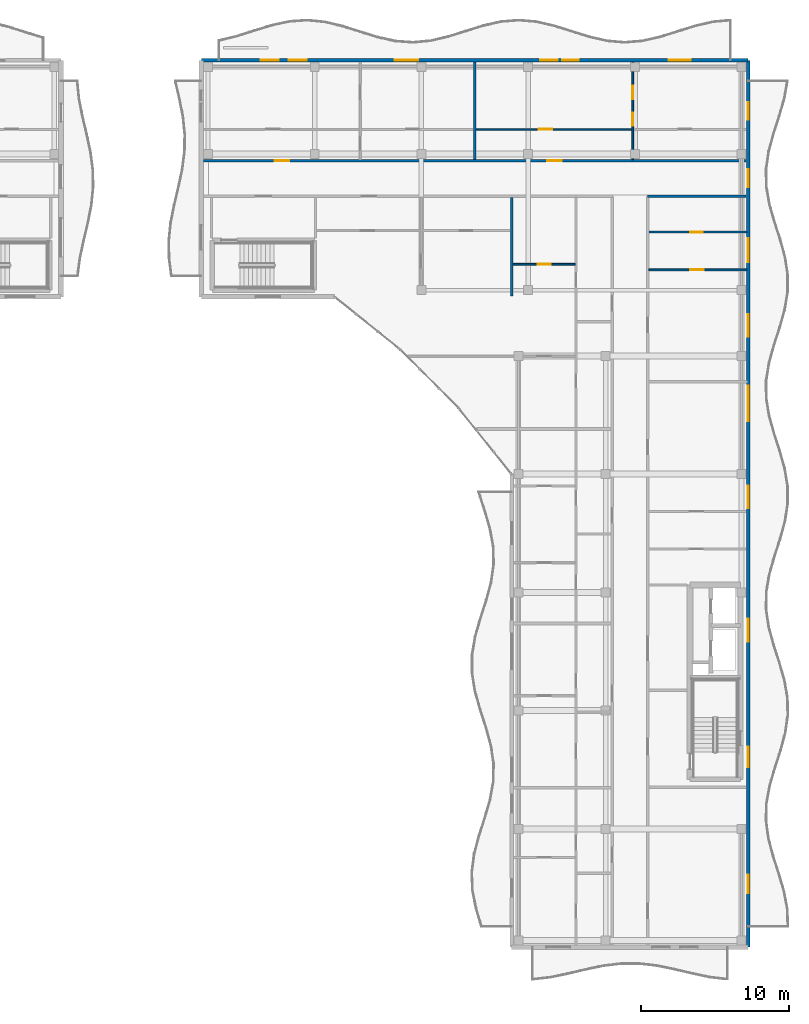
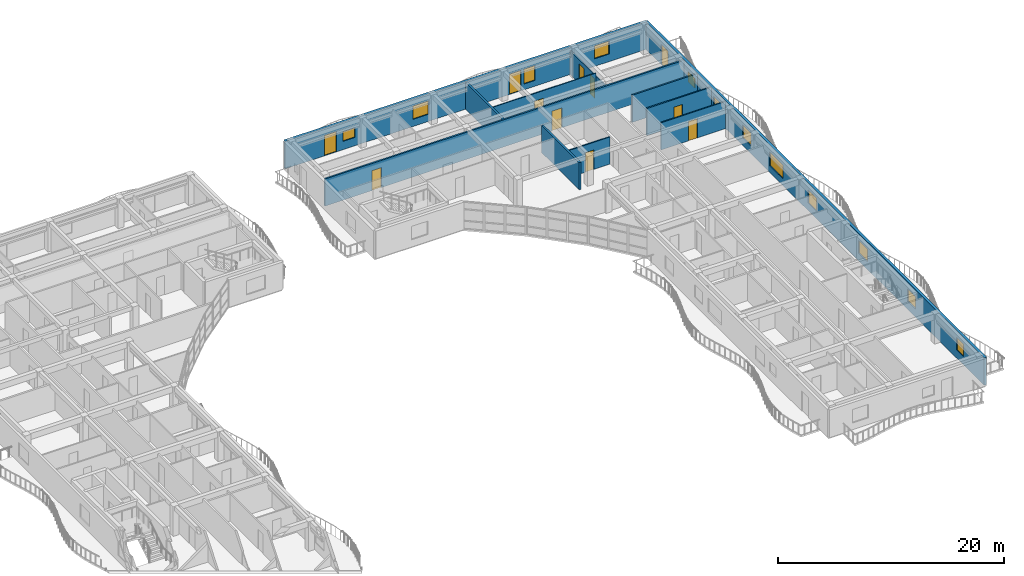
# One storey, part 45 of 72: 12 windows, 11 doors, 11 walls, 23 openings.
"""IFC4 building model written with IfcOpenShell, lengths in metres."""

from ifc_helpers import new_model, si_unit, direction, frame, frame_2d, origin, place, context, subcontext, project, spatial, rectangle, extrude, material, layer, layer_set, type_object, element, fill, save


model = new_model("IFC4")

# Units and contexts
model_context = context("Model", 3, precision=1e-05, world=origin(), true_north=direction((0.0, 1.0)))
body_context = subcontext(model_context, "Body", "Model", "MODEL_VIEW")
ifc_project = project(units=[si_unit("LENGTHUNIT", "METRE"), si_unit("AREAUNIT", "SQUARE_METRE"), si_unit("VOLUMEUNIT", "CUBIC_METRE"), si_unit("PLANEANGLEUNIT", "RADIAN"), si_unit("MASSUNIT", "GRAM", prefix="KILO")], contexts=[model_context])

# Site, building, storey
site_placement = place(None, origin())
site = spatial("IfcSite", under=ifc_project, at=site_placement, CompositionType="ELEMENT")
building_placement = place(site_placement, origin())
building = spatial("IfcBuilding", under=site, at=building_placement, Name="Keldmere Railside Commons", CompositionType="ELEMENT")
storey_placement = place(building_placement, frame((0.0, 0.0, 16.9599609375)))
storey = spatial("IfcBuildingStorey", under=building, at=storey_placement, Name="L05", CompositionType="ELEMENT", Elevation=16.9599609375)

# Walls
ifc_material_1 = material(Name="Acoustic Gypsum Board Partition", Category="gypsum")
ifc_layer_1 = layer(ifc_material_1, 0.179931640625, Name="Acoustic Demising Partition 180")
ifc_layer_set_1 = layer_set([ifc_layer_1], Name="Acoustic Gypsum Board Partition")
wall_type_1 = type_object("IfcWallType", Name="Acoustic Demising Partition 180", PredefinedType="PARTITIONING", material=ifc_layer_set_1)
wall_1_placement = place(storey_placement, frame((168.0, 100.050048828125, 0.0), z_axis=(0.0, 0.0, 1.0), x_axis=(0.0, 1.0, 0.0)))
element("IfcWall", 1, at=wall_1_placement, inside=storey, type_object=wall_type_1, Name="IW-1 IW-L05-1601", PredefinedType="PARTITIONING", context=body_context, shape_type="SweptSolid", body=[
    extrude(rectangle(XDim=6.669921875, YDim=0.179931640625, at=frame_2d((3.3349609375, 0.0))), origin(), (0.0, 0.0, 1.0), 2.93505859375),
])
wall_2_placement = place(storey_placement, frame((165.5, 109.280029296875, 0.0), z_axis=(0.0, 0.0, 1.0), x_axis=(0.0, 1.0, 0.0)))
element("IfcWall", 2, at=wall_2_placement, inside=storey, type_object=wall_type_1, Name="IW-1 IW-L05-1621", PredefinedType="PARTITIONING", context=body_context, shape_type="SweptSolid", body=[
    extrude(rectangle(XDim=6.590087890625, YDim=0.179931640625, at=frame_2d((3.294921875, 0.0))), origin(), (0.0, 0.0, 1.0), 2.93505859375),
])

# Wall, opening, door
ifc_layer_2 = layer(ifc_material_1, 0.1201171875, Name="Apartment Interior Partition 120")
ifc_layer_set_2 = layer_set([ifc_layer_2], Name="Acoustic Gypsum Board Partition")
wall_type_2 = type_object("IfcWallType", Name="Apartment Interior Partition 120", PredefinedType="PARTITIONING", material=ifc_layer_set_2)
wall_3_placement = place(storey_placement, frame((168.090087890625, 102.199951171875, 0.0), z_axis=(0.0, 0.0, 1.0), x_axis=(1.0, 0.0, 0.0)))
wall_3 = element("IfcWall", 3, at=wall_3_placement, inside=storey, type_object=wall_type_2, Name="IW-4 IW-L05-1620", PredefinedType="PARTITIONING", context=body_context, shape_type="SweptSolid", body=[
    extrude(rectangle(XDim=4.18994140625, YDim=0.1201171875, at=frame_2d((2.094970703125, 0.0))), origin(), (0.0, 0.0, 1.0), 2.93505859375),
])
opening_1_placement = place(wall_3_placement, frame((1.655029296875, 0.0, 0.0)))
opening_1 = element("IfcOpeningElement", 4, at=opening_1_placement, cuts=wall_3, Name="Opening ID-02", PredefinedType="OPENING", context=body_context, shape_type="SweptSolid", body=[
    extrude(rectangle(XDim=0.8798828125, YDim=2.10009765625, at=frame_2d((0.43994140625, 1.050048828125))), frame((0.0, 0.070068359375, 0.0), z_axis=(0.0, -1.0, 0.0), x_axis=(1.0, 0.0, 0.0)), (0.0, 0.0, 1.0), 0.14013671875),
])
ifc_material_2 = material(Name="Engineered Oak Timber", Category="wood")
door_type_1 = type_object("IfcDoorType", Name="Secondary Bedroom Door 880x2100", OperationType="NOTDEFINED", PredefinedType="DOOR", material=ifc_material_2)
door_1_placement = place(opening_1_placement, origin())
door_1 = element("IfcDoor", 5, at=door_1_placement, inside=storey, type_object=door_type_1, Name="ID-02 IDR-L05-1465", OperationType="SINGLE_SWING_LEFT", OverallHeight=2.10009765625, OverallWidth=0.8798828125, PredefinedType="DOOR", context=body_context, shape_type="SweptSolid", body=[
    extrude(rectangle(XDim=0.8798828125, YDim=2.10009765625, at=frame_2d((0.43994140625, 1.050048828125))), frame((0.0, 0.02490234375, 0.0), z_axis=(0.0, -1.0, 0.0), x_axis=(1.0, 0.0, 0.0)), (0.0, 0.0, 1.0), 0.050048828125),
])
fill(opening_1, door_1)

# Wall, openings, doors
wall_4_placement = place(storey_placement, frame((176.179931640625, 109.280029296875, 0.0), z_axis=(0.0, 0.0, 1.0), x_axis=(0.0, 1.0, 0.0)))
wall_4 = element("IfcWall", 6, at=wall_4_placement, inside=storey, type_object=wall_type_2, Name="IW-4 IW-L05-1625", PredefinedType="PARTITIONING", context=body_context, shape_type="SweptSolid", body=[
    extrude(rectangle(XDim=6.590087890625, YDim=0.1201171875, at=frame_2d((3.294921875, 0.0))), origin(), (0.0, 0.0, 1.0), 2.580078125),
])
opening_2_placement = place(wall_4_placement, frame((2.305908203125, 0.0, 0.0)))
opening_2 = element("IfcOpeningElement", 7, at=opening_2_placement, cuts=wall_4, Name="Opening ID-04", PredefinedType="OPENING", context=body_context, shape_type="SweptSolid", body=[
    extrude(rectangle(XDim=0.860107421875, YDim=2.10009765625, at=frame_2d((0.43017578125, 1.050048828125))), frame((0.0, 0.070068359375, 0.0), z_axis=(0.0, -1.0, 0.0), x_axis=(1.0, 0.0, 0.0)), (0.0, 0.0, 1.0), 0.14013671875),
])
opening_3_placement = place(wall_4_placement, frame((4.093017578125, 0.0, 0.0)))
opening_3 = element("IfcOpeningElement", 8, at=opening_3_placement, cuts=wall_4, Name="Opening ID-01", PredefinedType="OPENING", context=body_context, shape_type="SweptSolid", body=[
    extrude(rectangle(XDim=0.89990234375, YDim=2.10009765625, at=frame_2d((0.449951171875, 1.050048828125))), frame((0.0, 0.070068359375, 0.0), z_axis=(0.0, -1.0, 0.0), x_axis=(1.0, 0.0, 0.0)), (0.0, 0.0, 1.0), 0.14013671875),
])
door_type_2 = type_object("IfcDoorType", Name="Apartment Bathroom Door 860x2100", OperationType="NOTDEFINED", PredefinedType="DOOR", material=ifc_material_2)
door_2_placement = place(opening_2_placement, origin())
door_2 = element("IfcDoor", 9, at=door_2_placement, inside=storey, type_object=door_type_2, Name="ID-04 IDR-L05-1473", OperationType="SINGLE_SWING_LEFT", OverallHeight=2.10009765625, OverallWidth=0.860107421875, PredefinedType="DOOR", context=body_context, shape_type="SweptSolid", body=[
    extrude(rectangle(XDim=0.860107421875, YDim=2.10009765625, at=frame_2d((0.43017578125, 1.050048828125))), frame((0.0, 0.02490234375, 0.0), z_axis=(0.0, -1.0, 0.0), x_axis=(1.0, 0.0, 0.0)), (0.0, 0.0, 1.0), 0.050048828125),
])
fill(opening_2, door_2)
door_type_3 = type_object("IfcDoorType", Name="Primary Bedroom Door 900x2100", OperationType="NOTDEFINED", PredefinedType="DOOR", material=ifc_material_2)
door_3_placement = place(opening_3_placement, origin())
door_3 = element("IfcDoor", 10, at=door_3_placement, inside=storey, type_object=door_type_3, Name="ID-01 IDR-L05-1474", OperationType="SINGLE_SWING_RIGHT", OverallHeight=2.10009765625, OverallWidth=0.89990234375, PredefinedType="DOOR", context=body_context, shape_type="SweptSolid", body=[
    extrude(rectangle(XDim=0.89990234375, YDim=2.10009765625, at=frame_2d((0.449951171875, 1.050048828125))), frame((0.0, 0.02490234375, 0.0), z_axis=(0.0, -1.0, 0.0), x_axis=(1.0, 0.0, 0.0)), (0.0, 0.0, 1.0), 0.050048828125),
])
fill(opening_3, door_3)

# Wall, opening, door
wall_5_placement = place(storey_placement, frame((177.280029296875, 101.820068359375, 0.0), z_axis=(0.0, 0.0, 1.0), x_axis=(1.0, 0.0, 0.0)))
wall_5 = element("IfcWall", 11, at=wall_5_placement, inside=storey, type_object=wall_type_2, Name="IW-4 IW-L05-1634", PredefinedType="PARTITIONING", context=body_context, shape_type="SweptSolid", body=[
    extrude(rectangle(XDim=6.6298828125, YDim=0.1201171875, at=frame_2d((3.31494140625, 0.0))), origin(), (0.0, 0.0, 1.0), 2.93505859375),
])
opening_4_placement = place(wall_5_placement, frame((2.78466796875, 0.0, 0.0)))
opening_4 = element("IfcOpeningElement", 12, at=opening_4_placement, cuts=wall_5, Name="Opening ID-03", PredefinedType="OPENING", context=body_context, shape_type="SweptSolid", body=[
    extrude(rectangle(XDim=0.919921875, YDim=2.10009765625, at=frame_2d((0.4599609375, 1.050048828125))), frame((0.0, 0.070068359375, 0.0), z_axis=(0.0, -1.0, 0.0), x_axis=(1.0, 0.0, 0.0)), (0.0, 0.0, 1.0), 0.14013671875),
])
door_type_4 = type_object("IfcDoorType", Name="Kitchen Pocket-Frame Swing Door 920x2100", OperationType="NOTDEFINED", PredefinedType="DOOR", material=ifc_material_2)
door_4_placement = place(opening_4_placement, origin())
door_4 = element("IfcDoor", 13, at=door_4_placement, inside=storey, type_object=door_type_4, Name="ID-03 IDR-L05-1485", OperationType="SINGLE_SWING_LEFT", OverallHeight=2.10009765625, OverallWidth=0.919921875, PredefinedType="DOOR", context=body_context, shape_type="SweptSolid", body=[
    extrude(rectangle(XDim=0.919921875, YDim=2.10009765625, at=frame_2d((0.4599609375, 1.050048828125))), frame((0.0, 0.02490234375, 0.0), z_axis=(0.0, -1.0, 0.0), x_axis=(1.0, 0.0, 0.0)), (0.0, 0.0, 1.0), 0.050048828125),
])
fill(opening_4, door_4)

ifc_layer_3 = layer(ifc_material_1, 0.10009765625, Name="Closet Light Partition 100")
ifc_layer_set_3 = layer_set([ifc_layer_3], Name="Acoustic Gypsum Board Partition")
wall_type_3 = type_object("IfcWallType", Name="Closet Light Partition 100", PredefinedType="PARTITIONING", material=ifc_layer_set_3)
wall_6_placement = place(storey_placement, frame((165.590087890625, 111.330078125, 0.0), z_axis=(0.0, 0.0, 1.0), x_axis=(1.0, 0.0, 0.0)))
wall_6 = element("IfcWall", 14, at=wall_6_placement, inside=storey, type_object=wall_type_3, Name="IW-6 IW-L05-1627", PredefinedType="PARTITIONING", context=body_context, shape_type="SweptSolid", body=[
    extrude(rectangle(XDim=10.530029296875, YDim=0.10009765625, at=frame_2d((5.26513671875, 0.0))), origin(), (0.0, 0.0, 1.0), 2.93505859375),
])
opening_5_placement = place(wall_6_placement, frame((4.236083984375, 0.0, 0.0)))
opening_5 = element("IfcOpeningElement", 15, at=opening_5_placement, cuts=wall_6, Name="Opening ID-03", PredefinedType="OPENING", context=body_context, shape_type="SweptSolid", body=[
    extrude(rectangle(XDim=0.919921875, YDim=2.10009765625, at=frame_2d((0.4599609375, 1.050048828125))), frame((0.0, 0.06005859375, 0.0), z_axis=(0.0, -1.0, 0.0), x_axis=(1.0, 0.0, 0.0)), (0.0, 0.0, 1.0), 0.1201171875),
])
door_5_placement = place(opening_5_placement, origin())
door_5 = element("IfcDoor", 16, at=door_5_placement, inside=storey, type_object=door_type_4, Name="ID-03 IDR-L05-1472", OperationType="SINGLE_SWING_RIGHT", OverallHeight=2.10009765625, OverallWidth=0.919921875, PredefinedType="DOOR", context=body_context, shape_type="SweptSolid", body=[
    extrude(rectangle(XDim=0.919921875, YDim=2.10009765625, at=frame_2d((0.4599609375, 1.050048828125))), frame((0.0, 0.02490234375, 0.0), z_axis=(0.0, -1.0, 0.0), x_axis=(1.0, 0.0, 0.0)), (0.0, 0.0, 1.0), 0.050048828125),
])
fill(opening_5, door_5)

# Wall
ifc_layer_4 = layer(ifc_material_1, 0.159912109375, Name="Corridor Fire Partition 160")
ifc_layer_set_4 = layer_set([ifc_layer_4], Name="Acoustic Gypsum Board Partition")
wall_type_4 = type_object("IfcWallType", Name="Corridor Fire Partition 160", PredefinedType="PARTITIONING", material=ifc_layer_set_4)
wall_7_placement = place(storey_placement, frame((177.199951171875, 106.800048828125, 0.0), z_axis=(0.0, 0.0, 1.0), x_axis=(1.0, 0.0, 0.0)))
element("IfcWall", 17, at=wall_7_placement, inside=storey, type_object=wall_type_4, Name="IW-2 IW-L05-1599", PredefinedType="PARTITIONING", context=body_context, shape_type="SweptSolid", body=[
    extrude(rectangle(XDim=6.64013671875, YDim=0.159912109375, at=frame_2d((3.320068359375, 0.0))), origin(), (0.0, 0.0, 1.0), 2.93505859375),
])

# Wall, openings, doors
wall_8_placement = place(storey_placement, frame((147.159912109375, 109.199951171875, 0.0), z_axis=(0.0, 0.0, 1.0), x_axis=(1.0, 0.0, 0.0)))
wall_8 = element("IfcWall", 18, at=wall_8_placement, inside=storey, type_object=wall_type_4, Name="IW-2 IW-L05-1600", PredefinedType="PARTITIONING", context=body_context, shape_type="SweptSolid", body=[
    extrude(rectangle(XDim=36.68017578125, YDim=0.159912109375, at=frame_2d((18.340087890625, 0.0))), origin(), (0.0, 0.0, 1.0), 2.93505859375),
])
opening_6_placement = place(wall_8_placement, frame((4.804931640625, 0.0, 0.0)))
opening_6 = element("IfcOpeningElement", 19, at=opening_6_placement, cuts=wall_8, Name="Opening FD-7", PredefinedType="OPENING", context=body_context, shape_type="SweptSolid", body=[
    extrude(rectangle(XDim=0.97998046875, YDim=2.14990234375, at=frame_2d((0.489990234375, 1.074951171875))), frame((0.0, 0.08984375, 0.0), z_axis=(0.0, -1.0, 0.0), x_axis=(1.0, 0.0, 0.0)), (0.0, 0.0, 1.0), 0.179931640625),
])
opening_7_placement = place(wall_8_placement, frame((23.235107421875, 0.0, 0.0)))
opening_7 = element("IfcOpeningElement", 20, at=opening_7_placement, cuts=wall_8, Name="Opening FD-7", PredefinedType="OPENING", context=body_context, shape_type="SweptSolid", body=[
    extrude(rectangle(XDim=0.97998046875, YDim=2.14990234375, at=frame_2d((0.489990234375, 1.074951171875))), frame((0.0, 0.08984375, 0.0), z_axis=(0.0, -1.0, 0.0), x_axis=(1.0, 0.0, 0.0)), (0.0, 0.0, 1.0), 0.179931640625),
])
door_type_5 = type_object("IfcDoorType", Name="Apartment Entrance Acoustic Fire Door 980x2150", OperationType="NOTDEFINED", PredefinedType="DOOR", material=ifc_material_2)
door_6_placement = place(opening_6_placement, origin())
door_6 = element("IfcDoor", 21, at=door_6_placement, inside=storey, type_object=door_type_5, Name="FD-7 IDR-L05-1466", OperationType="SINGLE_SWING_RIGHT", OverallHeight=2.14990234375, OverallWidth=0.97998046875, PredefinedType="DOOR", context=body_context, shape_type="SweptSolid", body=[
    extrude(rectangle(XDim=0.97998046875, YDim=2.14990234375, at=frame_2d((0.489990234375, 1.074951171875))), frame((0.0, 0.02490234375, 0.0), z_axis=(0.0, -1.0, 0.0), x_axis=(1.0, 0.0, 0.0)), (0.0, 0.0, 1.0), 0.050048828125),
])
fill(opening_6, door_6)
door_7_placement = place(opening_7_placement, origin())
door_7 = element("IfcDoor", 22, at=door_7_placement, inside=storey, type_object=door_type_5, Name="FD-7 IDR-L05-1471", OperationType="SINGLE_SWING_LEFT", OverallHeight=2.14990234375, OverallWidth=0.97998046875, PredefinedType="DOOR", context=body_context, shape_type="SweptSolid", body=[
    extrude(rectangle(XDim=0.97998046875, YDim=2.14990234375, at=frame_2d((0.489990234375, 1.074951171875))), frame((0.0, 0.02490234375, 0.0), z_axis=(0.0, -1.0, 0.0), x_axis=(1.0, 0.0, 0.0)), (0.0, 0.0, 1.0), 0.050048828125),
])
fill(opening_7, door_7)

# Wall, openings, windows, door
ifc_material_3 = material(Name="Terracotta Brick Masonry", Category="masonry")
ifc_layer_5 = layer(ifc_material_3, 0.260009765625, Name="Terracotta Cavity Wall 260")
ifc_layer_set_5 = layer_set([ifc_layer_5], Name="Terracotta Brick Masonry")
wall_type_5 = type_object("IfcWallType", Name="Terracotta Cavity Wall 260", PredefinedType="SOLIDWALL", material=ifc_layer_set_5)
wall_9_placement = place(storey_placement, frame((184.0, 116.0, 0.0), z_axis=(0.0, 0.0, 1.0), x_axis=(0.0, -1.0, 0.0)))
wall_9 = element("IfcWall", 23, at=wall_9_placement, inside=storey, type_object=wall_type_5, Name="EW-1 EXTA-L05-0911", PredefinedType="SOLIDWALL", context=body_context, shape_type="SweptSolid", body=[
    extrude(rectangle(XDim=60.0, YDim=0.260009765625, at=frame_2d((30.0, 0.0))), origin(), (0.0, 0.0, 1.0), 2.97998046875),
])
opening_8_placement = place(wall_9_placement, frame((2.835693359375, 0.0, 0.0)))
opening_8 = element("IfcOpeningElement", 24, at=opening_8_placement, cuts=wall_9, Name="Opening BD-01", PredefinedType="OPENING", context=body_context, shape_type="SweptSolid", body=[
    extrude(rectangle(XDim=1.199951171875, YDim=2.199951171875, at=frame_2d((0.60009765625, 1.10009765625))), frame((0.0, 0.139892578125, 0.0), z_axis=(0.0, -1.0, 0.0), x_axis=(1.0, 0.0, 0.0)), (0.0, 0.0, 1.0), 0.280029296875),
])
opening_9_placement = place(wall_9_placement, frame((7.3857421875, 0.0, 0.89990234375)))
opening_9 = element("IfcOpeningElement", 25, at=opening_9_placement, cuts=wall_9, Name="Opening WN-14", PredefinedType="OPENING", context=body_context, shape_type="SweptSolid", body=[
    extrude(rectangle(XDim=1.199951171875, YDim=1.050048828125, at=frame_2d((0.60009765625, 0.52490234375))), frame((0.0, 0.139892578125, 0.0), z_axis=(0.0, -1.0, 0.0), x_axis=(1.0, 0.0, 0.0)), (0.0, 0.0, 1.0), 0.280029296875),
])
opening_10_placement = place(wall_9_placement, frame((12.05712890625, 0.0, 0.77001953125)))
opening_10 = element("IfcOpeningElement", 26, at=opening_10_placement, cuts=wall_9, Name="Opening WN-04", PredefinedType="OPENING", context=body_context, shape_type="SweptSolid", body=[
    extrude(rectangle(XDim=1.60009765625, YDim=1.449951171875, at=frame_2d((0.800048828125, 0.72509765625))), frame((0.0, 0.139892578125, 0.0), z_axis=(0.0, -1.0, 0.0), x_axis=(1.0, 0.0, 0.0)), (0.0, 0.0, 1.0), 0.280029296875),
])
opening_11_placement = place(wall_9_placement, frame((22.028564453125, 0.0, 0.719970703125)))
opening_11 = element("IfcOpeningElement", 27, at=opening_11_placement, cuts=wall_9, Name="Opening WN-05", PredefinedType="OPENING", context=body_context, shape_type="SweptSolid", body=[
    extrude(rectangle(XDim=2.39990234375, YDim=1.5, at=frame_2d((1.199951171875, 0.75))), frame((0.0, 0.139892578125, 0.0), z_axis=(0.0, -1.0, 0.0), x_axis=(1.0, 0.0, 0.0)), (0.0, 0.0, 1.0), 0.280029296875),
])
opening_12_placement = place(wall_9_placement, frame((28.800048828125, 0.0, 0.820068359375)))
opening_12 = element("IfcOpeningElement", 28, at=opening_12_placement, cuts=wall_9, Name="Opening WN-06", PredefinedType="OPENING", context=body_context, shape_type="SweptSolid", body=[
    extrude(rectangle(XDim=1.5, YDim=1.39990234375, at=frame_2d((0.75, 0.699951171875))), frame((0.0, 0.139892578125, 0.0), z_axis=(0.0, -1.0, 0.0), x_axis=(1.0, 0.0, 0.0)), (0.0, 0.0, 1.0), 0.280029296875),
])
opening_13_placement = place(wall_9_placement, frame((37.79638671875, 0.0, 0.820068359375)))
opening_13 = element("IfcOpeningElement", 29, at=opening_13_placement, cuts=wall_9, Name="Opening WN-07", PredefinedType="OPENING", context=body_context, shape_type="SweptSolid", body=[
    extrude(rectangle(XDim=1.550048828125, YDim=1.39990234375, at=frame_2d((0.77490234375, 0.699951171875))), frame((0.0, 0.139892578125, 0.0), z_axis=(0.0, -1.0, 0.0), x_axis=(1.0, 0.0, 0.0)), (0.0, 0.0, 1.0), 0.280029296875),
])
opening_14_placement = place(wall_9_placement, frame((46.44287109375, 0.0, 0.8701171875)))
opening_14 = element("IfcOpeningElement", 30, at=opening_14_placement, cuts=wall_9, Name="Opening WN-08", PredefinedType="OPENING", context=body_context, shape_type="SweptSolid", body=[
    extrude(rectangle(XDim=1.39990234375, YDim=1.35009765625, at=frame_2d((0.699951171875, 0.675048828125))), frame((0.0, 0.139892578125, 0.0), z_axis=(0.0, -1.0, 0.0), x_axis=(1.0, 0.0, 0.0)), (0.0, 0.0, 1.0), 0.280029296875),
])
opening_15_placement = place(wall_9_placement, frame((55.08935546875, 0.0, 0.8701171875)))
opening_15 = element("IfcOpeningElement", 31, at=opening_15_placement, cuts=wall_9, Name="Opening WN-09", PredefinedType="OPENING", context=body_context, shape_type="SweptSolid", body=[
    extrude(rectangle(XDim=1.25, YDim=1.35009765625, at=frame_2d((0.625, 0.675048828125))), frame((0.0, 0.139892578125, 0.0), z_axis=(0.0, -1.0, 0.0), x_axis=(1.0, 0.0, 0.0)), (0.0, 0.0, 1.0), 0.280029296875),
])
opening_16_placement = place(wall_9_placement, frame((17.195068359375, 0.0, 0.820068359375)))
opening_16 = element("IfcOpeningElement", 32, at=opening_16_placement, cuts=wall_9, Name="Opening WN-06", PredefinedType="OPENING", context=body_context, shape_type="SweptSolid", body=[
    extrude(rectangle(XDim=1.5, YDim=1.39990234375, at=frame_2d((0.75, 0.699951171875))), frame((0.0, 0.139892578125, 0.0), z_axis=(0.0, -1.0, 0.0), x_axis=(1.0, 0.0, 0.0)), (0.0, 0.0, 1.0), 0.280029296875),
])
ifc_material_4 = material(Name="Low-E Insulated Double Glazing", Category="glass")
window_type_1 = type_object("IfcWindowType", Name="Apartment Kitchen Ribbon Window 1200x1050", PartitioningType="SINGLE_PANEL", PredefinedType="WINDOW", material=ifc_material_4)
window_1_placement = place(opening_9_placement, origin())
window_1 = element("IfcWindow", 33, at=window_1_placement, inside=storey, type_object=window_type_1, Name="WN-14 WIN-L05-0664", OverallHeight=1.050048828125, OverallWidth=1.199951171875, PartitioningType="SINGLE_PANEL", PredefinedType="WINDOW", context=body_context, shape_type="SweptSolid", body=[
    extrude(rectangle(XDim=1.199951171875, YDim=1.050048828125, at=frame_2d((0.60009765625, 0.52490234375))), frame((0.0, 0.030029296875, 0.0), z_axis=(0.0, -1.0, 0.0), x_axis=(1.0, 0.0, 0.0)), (0.0, 0.0, 1.0), 0.06005859375),
])
fill(opening_9, window_1)
ifc_material_5 = material(Name="Thermally Broken Aluminium", Category="aluminium")
door_type_6 = type_object("IfcDoorType", Name="Apartment Living Wave-Balcony Glazed Door 1200x2200", OperationType="NOTDEFINED", PredefinedType="DOOR", material=ifc_material_5)
door_8_placement = place(opening_8_placement, origin())
door_8 = element("IfcDoor", 34, at=door_8_placement, inside=storey, type_object=door_type_6, Name="BD-01 DR-L05-0245", OperationType="SINGLE_SWING_LEFT", OverallHeight=2.199951171875, OverallWidth=1.199951171875, PredefinedType="DOOR", context=body_context, shape_type="SweptSolid", body=[
    extrude(rectangle(XDim=1.199951171875, YDim=2.199951171875, at=frame_2d((0.60009765625, 1.10009765625))), frame((0.0, 0.02490234375, 0.0), z_axis=(0.0, -1.0, 0.0), x_axis=(1.0, 0.0, 0.0)), (0.0, 0.0, 1.0), 0.050048828125),
])
fill(opening_8, door_8)
window_type_2 = type_object("IfcWindowType", Name="Corner Dual-Aspect Ribbon Window 2400x1500", PartitioningType="SINGLE_PANEL", PredefinedType="WINDOW", material=ifc_material_4)
window_2_placement = place(opening_11_placement, origin())
window_2 = element("IfcWindow", 35, at=window_2_placement, inside=storey, type_object=window_type_2, Name="WN-05 WIN-L05-0666", OverallHeight=1.5, OverallWidth=2.39990234375, PartitioningType="SINGLE_PANEL", PredefinedType="WINDOW", context=body_context, shape_type="SweptSolid", body=[
    extrude(rectangle(XDim=2.39990234375, YDim=1.5, at=frame_2d((1.199951171875, 0.75))), frame((0.0, 0.030029296875, 0.0), z_axis=(0.0, -1.0, 0.0), x_axis=(1.0, 0.0, 0.0)), (0.0, 0.0, 1.0), 0.06005859375),
])
fill(opening_11, window_2)
window_type_3 = type_object("IfcWindowType", Name="Living Room West Shaded Window 1600x1450", PartitioningType="SINGLE_PANEL", PredefinedType="WINDOW", material=ifc_material_4)
window_3_placement = place(opening_10_placement, origin())
window_3 = element("IfcWindow", 36, at=window_3_placement, inside=storey, type_object=window_type_3, Name="WN-04 WIN-L05-0665", OverallHeight=1.449951171875, OverallWidth=1.60009765625, PartitioningType="SINGLE_PANEL", PredefinedType="WINDOW", context=body_context, shape_type="SweptSolid", body=[
    extrude(rectangle(XDim=1.60009765625, YDim=1.449951171875, at=frame_2d((0.800048828125, 0.72509765625))), frame((0.0, 0.030029296875, 0.0), z_axis=(0.0, -1.0, 0.0), x_axis=(1.0, 0.0, 0.0)), (0.0, 0.0, 1.0), 0.06005859375),
])
fill(opening_10, window_3)
window_type_4 = type_object("IfcWindowType", Name="Primary Bedroom East/West Window 1400x1350", PartitioningType="SINGLE_PANEL", PredefinedType="WINDOW", material=ifc_material_4)
window_4_placement = place(opening_14_placement, origin())
window_4 = element("IfcWindow", 37, at=window_4_placement, inside=storey, type_object=window_type_4, Name="WN-08 WIN-L05-0669", OverallHeight=1.35009765625, OverallWidth=1.39990234375, PartitioningType="SINGLE_PANEL", PredefinedType="WINDOW", context=body_context, shape_type="SweptSolid", body=[
    extrude(rectangle(XDim=1.39990234375, YDim=1.35009765625, at=frame_2d((0.699951171875, 0.675048828125))), frame((0.0, 0.030029296875, 0.0), z_axis=(0.0, -1.0, 0.0), x_axis=(1.0, 0.0, 0.0)), (0.0, 0.0, 1.0), 0.06005859375),
])
fill(opening_14, window_4)
window_type_5 = type_object("IfcWindowType", Name="Primary Bedroom North Window 1500x1400", PartitioningType="SINGLE_PANEL", PredefinedType="WINDOW", material=ifc_material_4)
window_5_placement = place(opening_12_placement, origin())
window_5 = element("IfcWindow", 38, at=window_5_placement, inside=storey, type_object=window_type_5, Name="WN-06 WIN-L05-0667", OverallHeight=1.39990234375, OverallWidth=1.5, PartitioningType="SINGLE_PANEL", PredefinedType="WINDOW", context=body_context, shape_type="SweptSolid", body=[
    extrude(rectangle(XDim=1.5, YDim=1.39990234375, at=frame_2d((0.75, 0.699951171875))), frame((0.0, 0.030029296875, 0.0), z_axis=(0.0, -1.0, 0.0), x_axis=(1.0, 0.0, 0.0)), (0.0, 0.0, 1.0), 0.06005859375),
])
fill(opening_12, window_5)
window_6_placement = place(opening_16_placement, origin())
window_6 = element("IfcWindow", 39, at=window_6_placement, inside=storey, type_object=window_type_5, Name="WN-06 WIN-L05-9048", OverallHeight=1.39990234375, OverallWidth=1.5, PartitioningType="SINGLE_PANEL", PredefinedType="WINDOW", context=body_context, shape_type="SweptSolid", body=[
    extrude(rectangle(XDim=1.5, YDim=1.39990234375, at=frame_2d((0.75, 0.699951171875))), frame((0.0, 0.030029296875, 0.0), z_axis=(0.0, -1.0, 0.0), x_axis=(1.0, 0.0, 0.0)), (0.0, 0.0, 1.0), 0.06005859375),
])
fill(opening_16, window_6)
window_type_6 = type_object("IfcWindowType", Name="Primary Bedroom South Window 1550x1400", PartitioningType="SINGLE_PANEL", PredefinedType="WINDOW", material=ifc_material_4)
window_7_placement = place(opening_13_placement, origin())
window_7 = element("IfcWindow", 40, at=window_7_placement, inside=storey, type_object=window_type_6, Name="WN-07 WIN-L05-0668", OverallHeight=1.39990234375, OverallWidth=1.550048828125, PartitioningType="SINGLE_PANEL", PredefinedType="WINDOW", context=body_context, shape_type="SweptSolid", body=[
    extrude(rectangle(XDim=1.550048828125, YDim=1.39990234375, at=frame_2d((0.77490234375, 0.699951171875))), frame((0.0, 0.030029296875, 0.0), z_axis=(0.0, -1.0, 0.0), x_axis=(1.0, 0.0, 0.0)), (0.0, 0.0, 1.0), 0.06005859375),
])
fill(opening_13, window_7)
window_type_7 = type_object("IfcWindowType", Name="Secondary Bedroom Window 1250x1350", PartitioningType="SINGLE_PANEL", PredefinedType="WINDOW", material=ifc_material_4)
window_8_placement = place(opening_15_placement, origin())
window_8 = element("IfcWindow", 41, at=window_8_placement, inside=storey, type_object=window_type_7, Name="WN-09 WIN-L05-0670", OverallHeight=1.35009765625, OverallWidth=1.25, PartitioningType="SINGLE_PANEL", PredefinedType="WINDOW", context=body_context, shape_type="SweptSolid", body=[
    extrude(rectangle(XDim=1.25, YDim=1.35009765625, at=frame_2d((0.625, 0.675048828125))), frame((0.0, 0.030029296875, 0.0), z_axis=(0.0, -1.0, 0.0), x_axis=(1.0, 0.0, 0.0)), (0.0, 0.0, 1.0), 0.06005859375),
])
fill(opening_15, window_8)

# Wall, openings, windows, doors
wall_10_placement = place(storey_placement, frame((147.0, 116.0, 0.0), z_axis=(0.0, 0.0, 1.0), x_axis=(1.0, 0.0, 0.0)))
wall_10 = element("IfcWall", 42, at=wall_10_placement, inside=storey, type_object=wall_type_5, Name="EW-1 EXTA-L05-0912", PredefinedType="SOLIDWALL", context=body_context, shape_type="SweptSolid", body=[
    extrude(rectangle(XDim=37.0, YDim=0.260009765625, at=frame_2d((18.5, 0.0))), origin(), (0.0, 0.0, 1.0), 2.97998046875),
])
opening_17_placement = place(wall_10_placement, frame((4.02490234375, 0.0, 0.0)))
opening_17 = element("IfcOpeningElement", 43, at=opening_17_placement, cuts=wall_10, Name="Opening BD-01", PredefinedType="OPENING", context=body_context, shape_type="SweptSolid", body=[
    extrude(rectangle(XDim=1.199951171875, YDim=2.199951171875, at=frame_2d((0.60009765625, 1.10009765625))), frame((0.0, 0.139892578125, 0.0), z_axis=(0.0, -1.0, 0.0), x_axis=(1.0, 0.0, 0.0)), (0.0, 0.0, 1.0), 0.280029296875),
])
opening_18_placement = place(wall_10_placement, frame((5.925048828125, 0.0, 0.89990234375)))
opening_18 = element("IfcOpeningElement", 44, at=opening_18_placement, cuts=wall_10, Name="Opening WN-14", PredefinedType="OPENING", context=body_context, shape_type="SweptSolid", body=[
    extrude(rectangle(XDim=1.199951171875, YDim=1.050048828125, at=frame_2d((0.60009765625, 0.52490234375))), frame((0.0, 0.139892578125, 0.0), z_axis=(0.0, -1.0, 0.0), x_axis=(1.0, 0.0, 0.0)), (0.0, 0.0, 1.0), 0.280029296875),
])
opening_19_placement = place(wall_10_placement, frame((13.074951171875, 0.0, 0.77001953125)))
opening_19 = element("IfcOpeningElement", 45, at=opening_19_placement, cuts=wall_10, Name="Opening WN-04", PredefinedType="OPENING", context=body_context, shape_type="SweptSolid", body=[
    extrude(rectangle(XDim=1.60009765625, YDim=1.449951171875, at=frame_2d((0.800048828125, 0.72509765625))), frame((0.0, 0.139892578125, 0.0), z_axis=(0.0, -1.0, 0.0), x_axis=(1.0, 0.0, 0.0)), (0.0, 0.0, 1.0), 0.280029296875),
])
opening_20_placement = place(wall_10_placement, frame((22.925048828125, 0.0, 0.0)))
opening_20 = element("IfcOpeningElement", 46, at=opening_20_placement, cuts=wall_10, Name="Opening BD-01", PredefinedType="OPENING", context=body_context, shape_type="SweptSolid", body=[
    extrude(rectangle(XDim=1.199951171875, YDim=2.199951171875, at=frame_2d((0.60009765625, 1.10009765625))), frame((0.0, 0.139892578125, 0.0), z_axis=(0.0, -1.0, 0.0), x_axis=(1.0, 0.0, 0.0)), (0.0, 0.0, 1.0), 0.280029296875),
])
opening_21_placement = place(wall_10_placement, frame((24.425048828125, 0.0, 0.6201171875)))
opening_21 = element("IfcOpeningElement", 47, at=opening_21_placement, cuts=wall_10, Name="Opening WN-16", PredefinedType="OPENING", context=body_context, shape_type="SweptSolid", body=[
    extrude(rectangle(XDim=1.10009765625, YDim=1.60009765625, at=frame_2d((0.550048828125, 0.800048828125))), frame((0.0, 0.139892578125, 0.0), z_axis=(0.0, -1.0, 0.0), x_axis=(1.0, 0.0, 0.0)), (0.0, 0.0, 1.0), 0.280029296875),
])
opening_22_placement = place(wall_10_placement, frame((31.625, 0.0, 0.820068359375)))
opening_22 = element("IfcOpeningElement", 48, at=opening_22_placement, cuts=wall_10, Name="Opening WN-06", PredefinedType="OPENING", context=body_context, shape_type="SweptSolid", body=[
    extrude(rectangle(XDim=1.5, YDim=1.39990234375, at=frame_2d((0.75, 0.699951171875))), frame((0.0, 0.139892578125, 0.0), z_axis=(0.0, -1.0, 0.0), x_axis=(1.0, 0.0, 0.0)), (0.0, 0.0, 1.0), 0.280029296875),
])
window_9_placement = place(opening_18_placement, origin())
window_9 = element("IfcWindow", 49, at=window_9_placement, inside=storey, type_object=window_type_1, Name="WN-14 WIN-L05-0671", OverallHeight=1.050048828125, OverallWidth=1.199951171875, PartitioningType="SINGLE_PANEL", PredefinedType="WINDOW", context=body_context, shape_type="SweptSolid", body=[
    extrude(rectangle(XDim=1.199951171875, YDim=1.050048828125, at=frame_2d((0.60009765625, 0.52490234375))), frame((0.0, 0.030029296875, 0.0), z_axis=(0.0, -1.0, 0.0), x_axis=(1.0, 0.0, 0.0)), (0.0, 0.0, 1.0), 0.06005859375),
])
fill(opening_18, window_9)
door_9_placement = place(opening_17_placement, origin())
door_9 = element("IfcDoor", 50, at=door_9_placement, inside=storey, type_object=door_type_6, Name="BD-01 DR-L05-0246", OperationType="SINGLE_SWING_RIGHT", OverallHeight=2.199951171875, OverallWidth=1.199951171875, PredefinedType="DOOR", context=body_context, shape_type="SweptSolid", body=[
    extrude(rectangle(XDim=1.199951171875, YDim=2.199951171875, at=frame_2d((0.60009765625, 1.10009765625))), frame((0.0, 0.02490234375, 0.0), z_axis=(0.0, -1.0, 0.0), x_axis=(1.0, 0.0, 0.0)), (0.0, 0.0, 1.0), 0.050048828125),
])
fill(opening_17, door_9)
door_10_placement = place(opening_20_placement, origin())
door_10 = element("IfcDoor", 51, at=door_10_placement, inside=storey, type_object=door_type_6, Name="BD-01 DR-L05-0247", OperationType="SINGLE_SWING_LEFT", OverallHeight=2.199951171875, OverallWidth=1.199951171875, PredefinedType="DOOR", context=body_context, shape_type="SweptSolid", body=[
    extrude(rectangle(XDim=1.199951171875, YDim=2.199951171875, at=frame_2d((0.60009765625, 1.10009765625))), frame((0.0, 0.02490234375, 0.0), z_axis=(0.0, -1.0, 0.0), x_axis=(1.0, 0.0, 0.0)), (0.0, 0.0, 1.0), 0.050048828125),
])
fill(opening_20, door_10)
window_type_8 = type_object("IfcWindowType", Name="Corridor End Daylight Window 1100x1600", PartitioningType="SINGLE_PANEL", PredefinedType="WINDOW", material=ifc_material_4)
window_10_placement = place(opening_21_placement, origin())
window_10 = element("IfcWindow", 52, at=window_10_placement, inside=storey, type_object=window_type_8, Name="WN-16 WIN-L05-0673", OverallHeight=1.60009765625, OverallWidth=1.10009765625, PartitioningType="SINGLE_PANEL", PredefinedType="WINDOW", context=body_context, shape_type="SweptSolid", body=[
    extrude(rectangle(XDim=1.10009765625, YDim=1.60009765625, at=frame_2d((0.550048828125, 0.800048828125))), frame((0.0, 0.030029296875, 0.0), z_axis=(0.0, -1.0, 0.0), x_axis=(1.0, 0.0, 0.0)), (0.0, 0.0, 1.0), 0.06005859375),
])
fill(opening_21, window_10)
window_11_placement = place(opening_19_placement, origin())
window_11 = element("IfcWindow", 53, at=window_11_placement, inside=storey, type_object=window_type_3, Name="WN-04 WIN-L05-0672", OverallHeight=1.449951171875, OverallWidth=1.60009765625, PartitioningType="SINGLE_PANEL", PredefinedType="WINDOW", context=body_context, shape_type="SweptSolid", body=[
    extrude(rectangle(XDim=1.60009765625, YDim=1.449951171875, at=frame_2d((0.800048828125, 0.72509765625))), frame((0.0, 0.030029296875, 0.0), z_axis=(0.0, -1.0, 0.0), x_axis=(1.0, 0.0, 0.0)), (0.0, 0.0, 1.0), 0.06005859375),
])
fill(opening_19, window_11)
window_12_placement = place(opening_22_placement, origin())
window_12 = element("IfcWindow", 54, at=window_12_placement, inside=storey, type_object=window_type_5, Name="WN-06 WIN-L05-0674", OverallHeight=1.39990234375, OverallWidth=1.5, PartitioningType="SINGLE_PANEL", PredefinedType="WINDOW", context=body_context, shape_type="SweptSolid", body=[
    extrude(rectangle(XDim=1.5, YDim=1.39990234375, at=frame_2d((0.75, 0.699951171875))), frame((0.0, 0.030029296875, 0.0), z_axis=(0.0, -1.0, 0.0), x_axis=(1.0, 0.0, 0.0)), (0.0, 0.0, 1.0), 0.06005859375),
])
fill(opening_22, window_12)

# Wall, opening, door
ifc_layer_6 = layer(ifc_material_1, 0.139892578125, Name="Wet-Room Sanitary Partition 140")
ifc_layer_set_6 = layer_set([ifc_layer_6], Name="Acoustic Gypsum Board Partition")
wall_type_6 = type_object("IfcWallType", Name="Wet-Room Sanitary Partition 140", PredefinedType="PARTITIONING", material=ifc_layer_set_6)
wall_11_placement = place(storey_placement, frame((177.280029296875, 104.3701171875, 0.0), z_axis=(0.0, 0.0, 1.0), x_axis=(1.0, 0.0, 0.0)))
wall_11 = element("IfcWall", 55, at=wall_11_placement, inside=storey, type_object=wall_type_6, Name="IW-5 IW-L05-1635", PredefinedType="PARTITIONING", context=body_context, shape_type="SweptSolid", body=[
    extrude(rectangle(XDim=6.6298828125, YDim=0.139892578125, at=frame_2d((3.31494140625, 0.0))), origin(), (0.0, 0.0, 1.0), 2.93505859375),
])
opening_23_placement = place(wall_11_placement, frame((2.78466796875, 0.0, 0.0)))
opening_23 = element("IfcOpeningElement", 56, at=opening_23_placement, cuts=wall_11, Name="Opening ID-04", PredefinedType="OPENING", context=body_context, shape_type="SweptSolid", body=[
    extrude(rectangle(XDim=0.860107421875, YDim=2.10009765625, at=frame_2d((0.43017578125, 1.050048828125))), frame((0.0, 0.079833984375, 0.0), z_axis=(0.0, -1.0, 0.0), x_axis=(1.0, 0.0, 0.0)), (0.0, 0.0, 1.0), 0.159912109375),
])
door_11_placement = place(opening_23_placement, origin())
door_11 = element("IfcDoor", 57, at=door_11_placement, inside=storey, type_object=door_type_2, Name="ID-04 IDR-L05-1484", OperationType="SINGLE_SWING_RIGHT", OverallHeight=2.10009765625, OverallWidth=0.860107421875, PredefinedType="DOOR", context=body_context, shape_type="SweptSolid", body=[
    extrude(rectangle(XDim=0.860107421875, YDim=2.10009765625, at=frame_2d((0.43017578125, 1.050048828125))), frame((0.0, 0.02490234375, 0.0), z_axis=(0.0, -1.0, 0.0), x_axis=(1.0, 0.0, 0.0)), (0.0, 0.0, 1.0), 0.050048828125),
])
fill(opening_23, door_11)

save(model, "model.ifc")
